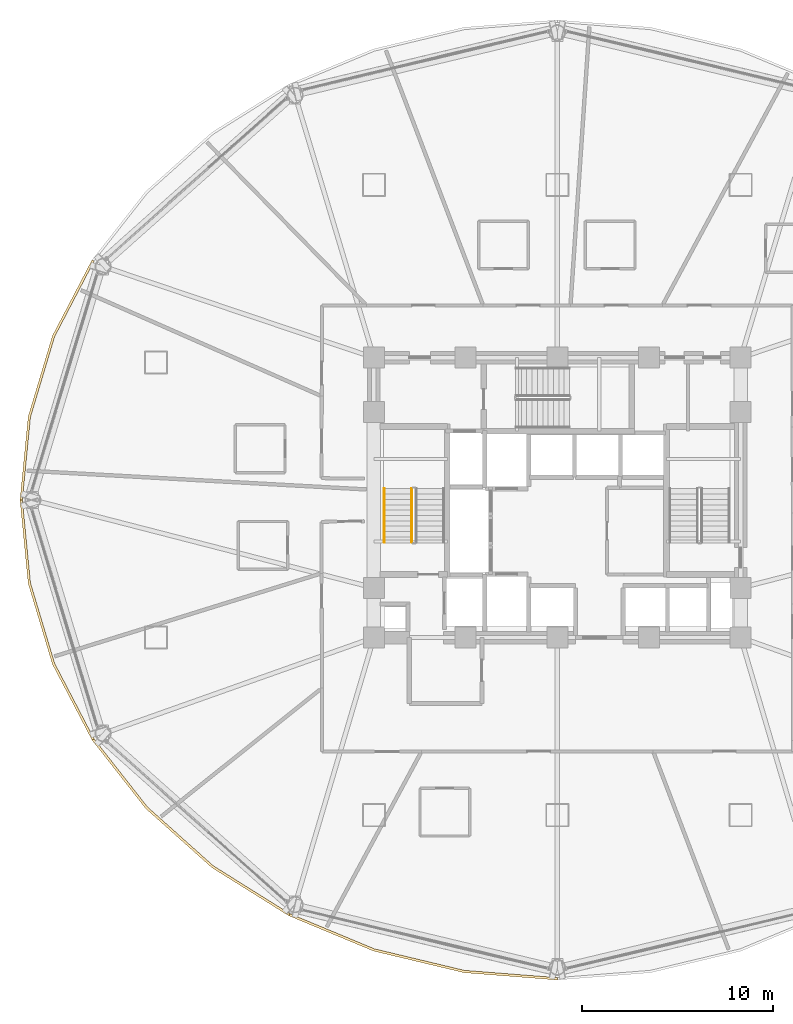
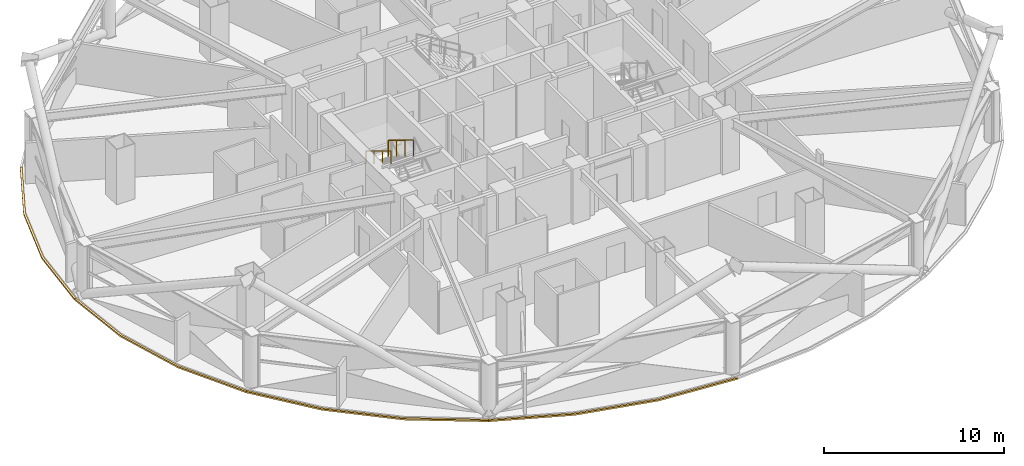
# One storey, part 26 of 30: 4 coverings, 2 railings.
"""IFC4 building model written with IfcOpenShell, lengths in metres."""

from ifc_helpers import new_model, si_unit, direction, frame, origin, origin_2d, place, context, subcontext, project, spatial, polyline, rectangle, outline, extrude, material, layer, layer_set, type_object, element, save


model = new_model("IFC4")

# Units and contexts
model_context = context("Model", 3, precision=1e-05, world=origin(), true_north=direction((0.0, 1.0)))
body_context = subcontext(model_context, "Body", "Model", "MODEL_VIEW")
ifc_project = project(units=[si_unit("LENGTHUNIT", "METRE"), si_unit("AREAUNIT", "SQUARE_METRE"), si_unit("VOLUMEUNIT", "CUBIC_METRE"), si_unit("PLANEANGLEUNIT", "RADIAN"), si_unit("MASSUNIT", "GRAM", prefix="KILO")], contexts=[model_context])

# Site, building, storey
site_placement = place(None, origin())
site = spatial("IfcSite", under=ifc_project, at=site_placement, CompositionType="ELEMENT")
building_placement = place(site_placement, origin())
building = spatial("IfcBuilding", under=site, at=building_placement, Name="Vantalir Tower", CompositionType="ELEMENT")
storey_placement = place(building_placement, frame((0.0, 0.0, 57.0)))
storey = spatial("IfcBuildingStorey", under=building, at=storey_placement, Name="L13", CompositionType="ELEMENT", Elevation=57.0)

# Coverings
ifc_material_1 = material(Name="Anodised champagne aluminium sill fascia", Category="aluminium")
ifc_layer = layer(ifc_material_1, 0.125)
ifc_layer_set = layer_set([ifc_layer], Name="Anodised champagne aluminium sill fascia")
covering_type = type_object("IfcCoveringType", Name="COV-SLAB-FASCIA-125", PredefinedType="CLADDING", material=ifc_layer_set)
covering_1_placement = place(storey_placement, frame((0.0, 0.0, -0.179931640625)))
element("IfcCovering", 1, at=covering_1_placement, inside=storey, type_object=covering_type, Name="L13 Perimeter Slab-Edge Sill Fascia 06", PredefinedType="CLADDING", context=body_context, shape_type="SweptSolid", body=[
    extrude(outline(polyline([(7.14208984375, 37.56298828125), (5.070068359375, 33.593994140625), (3.801025390625, 29.363037109375), (3.3740234375, 25.0), (3.4990234375, 25.0), (3.924072265625, 29.341064453125), (5.18798828125, 33.551025390625), (7.25, 37.5), (7.14208984375, 37.56298828125)])), origin(), (0.0, 0.0, 1.0), 0.10498046875),
])
covering_2_placement = place(storey_placement, frame((0.0, 0.0, -0.179931640625)))
element("IfcCovering", 2, at=covering_2_placement, inside=storey, type_object=covering_type, Name="L13 Perimeter Slab-Edge Sill Fascia 07", PredefinedType="CLADDING", context=body_context, shape_type="SweptSolid", body=[
    extrude(outline(polyline([(3.3740234375, 25.0), (3.801025390625, 20.636962890625), (5.070068359375, 16.406005859375), (7.14208984375, 12.43701171875), (7.25, 12.4990234375), (5.18798828125, 16.448974609375), (3.924072265625, 20.658935546875), (3.4990234375, 25.0), (3.3740234375, 25.0)])), origin(), (0.0, 0.0, 1.0), 0.10498046875),
])
covering_3_placement = place(storey_placement, frame((0.0, 0.0, -0.179931640625)))
element("IfcCovering", 3, at=covering_3_placement, inside=storey, type_object=covering_type, Name="L13 Perimeter Slab-Edge Sill Fascia 08", PredefinedType="CLADDING", context=body_context, shape_type="SweptSolid", body=[
    extrude(outline(polyline([(7.14208984375, 12.43701171875), (9.9541015625, 8.84912109375), (13.4208984375, 5.751953125), (17.43701171875, 3.239990234375), (17.4990234375, 3.347900390625), (13.5009765625, 5.847900390625), (10.050048828125, 8.929931640625), (7.25, 12.4990234375), (7.14208984375, 12.43701171875)])), origin(), (0.0, 0.0, 1.0), 0.10498046875),
])
covering_4_placement = place(storey_placement, frame((0.0, 0.0, -0.179931640625)))
element("IfcCovering", 4, at=covering_4_placement, inside=storey, type_object=covering_type, Name="L13 Perimeter Slab-Edge Sill Fascia 09", PredefinedType="CLADDING", context=body_context, shape_type="SweptSolid", body=[
    extrude(outline(polyline([(17.43701171875, 3.239990234375), (21.8798828125, 1.388916015625), (26.615966796875, 0.256103515625), (31.5, -0.1259765625), (31.5, -0.0009765625), (26.637939453125, 0.37890625), (21.923095703125, 1.507080078125), (17.4990234375, 3.347900390625), (17.43701171875, 3.239990234375)])), origin(), (0.0, 0.0, 1.0), 0.10498046875),
])

# Railings
ifc_material_2 = material(Name="Anodised aluminium and stainless steel guard", Category="steel")
railing_type_1 = type_object("IfcRailingType", Name="RAL-GUARD-1120", PredefinedType="GUARDRAIL", material=ifc_material_2)
railing_1_placement = place(storey_placement, frame((23.889892578125, 25.590087890625, 2.04541015625)))
element("IfcRailing", 5, at=railing_1_placement, inside=storey, type_object=railing_type_1, Name="L13 ST1 stair guard 3", PredefinedType="GUARDRAIL", context=body_context, shape_type="SweptSolid", body=[
    extrude(rectangle(XDim=0.048095703125, YDim=0.048095703125, at=origin_2d()), frame((0.0, 0.0, 1.09619140625), z_axis=(0.0, -0.854169791009, 0.51999420009), x_axis=(1.0, 0.0, 0.0)), (0.0, 0.0, 1.0), 3.278076171875),
    extrude(rectangle(XDim=0.0419921875, YDim=0.0419921875, at=origin_2d()), origin(), (0.0, 0.0, 1.0), 1.072021484375),
    extrude(rectangle(XDim=0.0419921875, YDim=0.0419921875, at=origin_2d()), frame((0.0, -0.933349609375, 0.568115234375)), (0.0, 0.0, 1.0), 1.072021484375),
    extrude(rectangle(XDim=0.0419921875, YDim=0.0419921875, at=origin_2d()), frame((0.0, -1.86669921875, 1.136474609375)), (0.0, 0.0, 1.0), 1.072021484375),
    extrude(rectangle(XDim=0.0419921875, YDim=0.0419921875, at=origin_2d()), frame((0.0, -2.800048828125, 1.70458984375)), (0.0, 0.0, 1.0), 1.072021484375),
])
ifc_material_3 = material(Name="Brushed stainless steel tubular handrail", Category="steel")
railing_type_2 = type_object("IfcRailingType", Name="RAL-HANDRAIL-900", PredefinedType="HANDRAIL", material=ifc_material_3)
railing_2_placement = place(storey_placement, frame((22.449951171875, 25.590087890625, 2.04541015625)))
element("IfcRailing", 6, at=railing_2_placement, inside=storey, type_object=railing_type_2, Name="L13 ST1 stair handrail 2", PredefinedType="HANDRAIL", context=body_context, shape_type="SweptSolid", body=[
    extrude(rectangle(XDim=0.048095703125, YDim=0.048095703125, at=origin_2d()), frame((0.0, 0.0, 0.8759765625), z_axis=(0.0, -0.854169791009, 0.51999420009), x_axis=(1.0, 0.0, 0.0)), (0.0, 0.0, 1.0), 3.278076171875),
    extrude(rectangle(XDim=0.0419921875, YDim=0.0419921875, at=origin_2d()), origin(), (0.0, 0.0, 1.0), 0.851806640625),
    extrude(rectangle(XDim=0.0419921875, YDim=0.0419921875, at=origin_2d()), frame((0.0, -0.933349609375, 0.568115234375)), (0.0, 0.0, 1.0), 0.851806640625),
    extrude(rectangle(XDim=0.0419921875, YDim=0.0419921875, at=origin_2d()), frame((0.0, -1.86669921875, 1.136474609375)), (0.0, 0.0, 1.0), 0.851806640625),
    extrude(rectangle(XDim=0.0419921875, YDim=0.0419921875, at=origin_2d()), frame((0.0, -2.800048828125, 1.70458984375)), (0.0, 0.0, 1.0), 0.851806640625),
])

save(model, "model.ifc")
